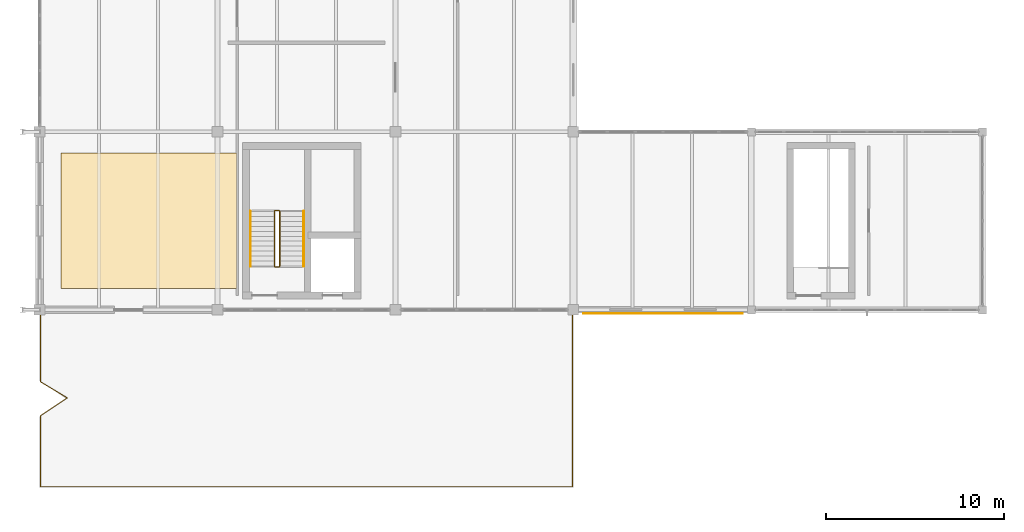
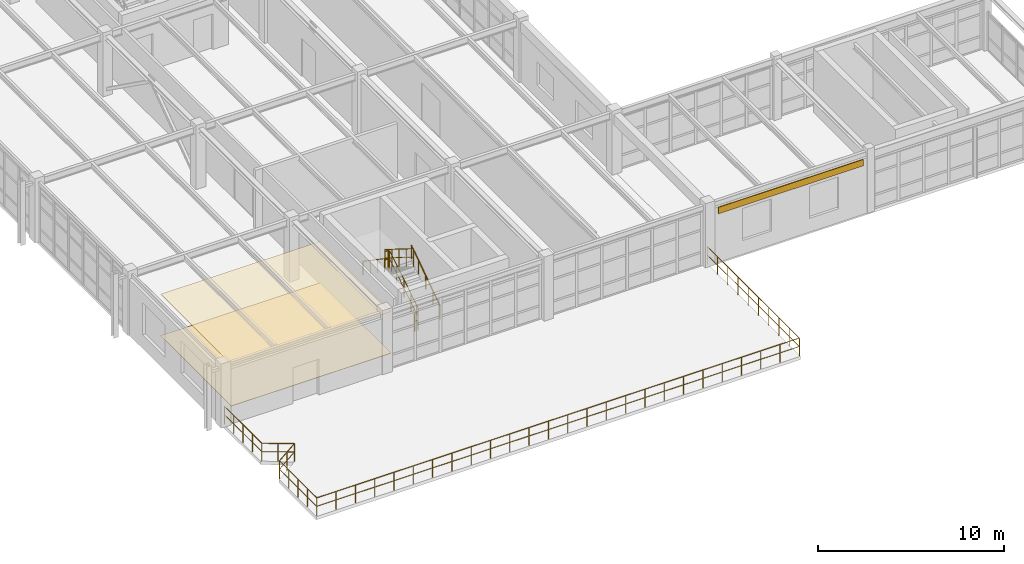
# One storey, part 112 of 122: 7 railings, 3 coverings.
"""IFC4 building model written with IfcOpenShell, lengths in metres."""

import ifcopenshell
import ifcopenshell.guid

model = None  # the IFC model being written
_history = None  # IfcOwnerHistory: only IFC2X3 demands one
_inside = {}  # id of a spatial element -> (the spatial element, [elements in it])
_under = {}  # id of a project, library or spatial element -> (it, [spatial elements below it])
_declared = {}  # id of a project -> (the project, [libraries it declares])
_typed = {}  # id of a type object -> (the type object, [elements of that type])
_made_of = {}  # id of a material, layer set ... -> (it, [elements and type objects made of it])


def new_model(schema):
    """Start an empty IFC model of exactly this schema.

    Asked for "IFC4X3", IfcOpenShell would pick the latest addendum, in which some entities
    have other attributes; the version numbers below select the first issue.
    IFC2X3 requires an IfcOwnerHistory on every rooted entity: one is made here for all.
    """
    global model, _history
    if schema == "IFC4X3":
        model = ifcopenshell.file(schema_version=(4, 3, 0, 0))
    else:
        model = ifcopenshell.file(schema=schema)
    _inside.clear()
    _under.clear()
    _declared.clear()
    _typed.clear()
    _made_of.clear()
    _history = None
    if model.schema == "IFC2X3":
        org = make("IfcOrganization", Name="unknown")
        user = make(
            "IfcPersonAndOrganization",
            ThePerson=make("IfcPerson", FamilyName="unknown"),
            TheOrganization=org,
        )
        app = make(
            "IfcApplication",
            ApplicationDeveloper=org,
            Version="unknown",
            ApplicationFullName="unknown",
            ApplicationIdentifier="unknown",
        )
        _history = make(
            "IfcOwnerHistory",
            OwningUser=user,
            OwningApplication=app,
            ChangeAction="ADDED",
            CreationDate=0,
        )
    return model


def make(cls, **values):
    """One entity of the class cls with the attributes given. An attribute that is None is left unset."""
    return model.create_entity(
        cls, **{name: value for name, value in values.items() if value is not None}
    )


def rooted(cls, **values):
    """An entity with a GlobalId (a new one), such as an element, a storey or a relation."""
    return make(cls, GlobalId=ifcopenshell.guid.new(), OwnerHistory=_history, **values)


def si_unit(unit_type, name, prefix=None):
    """IfcSIUnit, for example si_unit("LENGTHUNIT", "METRE", prefix="MILLI")."""
    return make("IfcSIUnit", UnitType=unit_type, Prefix=prefix, Name=name)


def assignment(units):
    """IfcUnitAssignment: the units of a project."""
    return None if units is None else make("IfcUnitAssignment", Units=units)


def point(xyz):
    """IfcCartesianPoint."""
    return None if xyz is None else make("IfcCartesianPoint", Coordinates=xyz)


def direction(xyz):
    """IfcDirection."""
    return None if xyz is None else make("IfcDirection", DirectionRatios=xyz)


def frame(location, z_axis=None, x_axis=None):
    """IfcAxis2Placement3D, a coordinate frame: its origin and axes. An axis left out is left unset."""
    return make(
        "IfcAxis2Placement3D",
        Location=point(location),
        Axis=direction(z_axis),
        RefDirection=direction(x_axis),
    )


def frame_2d(location, x_axis=None):
    """IfcAxis2Placement2D, a coordinate frame in the plane: its origin and x axis."""
    return make(
        "IfcAxis2Placement2D", Location=point(location), RefDirection=direction(x_axis)
    )


def origin():
    """The frame at (0, 0, 0) with its axes left unset."""
    return frame((0.0, 0.0, 0.0))


def origin_2d():
    """The frame at (0, 0) in the plane with its x axis left unset."""
    return frame_2d((0.0, 0.0))


def place(relative_to, where):
    """IfcLocalPlacement: puts the frame where relative to a parent placement (None: the world)."""
    return make(
        "IfcLocalPlacement", PlacementRelTo=relative_to, RelativePlacement=where
    )


def context(
    kind, dimensions, precision=None, world=None, true_north=None, identifier=None
):
    """IfcGeometricRepresentationContext, for example the 3D "Model" context."""
    return make(
        "IfcGeometricRepresentationContext",
        ContextIdentifier=identifier,
        ContextType=kind,
        CoordinateSpaceDimension=dimensions,
        Precision=precision,
        WorldCoordinateSystem=world,
        TrueNorth=true_north,
    )


def subcontext(parent, identifier, kind, view, scale=None):
    """IfcGeometricRepresentationSubContext, for example "Body" below "Model"."""
    return make(
        "IfcGeometricRepresentationSubContext",
        ContextIdentifier=identifier,
        ContextType=kind,
        ParentContext=parent,
        TargetScale=scale,
        TargetView=view,
    )


def project(units=None, contexts=None):
    """IfcProject with its units and contexts."""
    return rooted(
        "IfcProject",
        Name="project",
        RepresentationContexts=contexts,
        UnitsInContext=assignment(units),
    )


def spatial(cls, under=None, at=None, **own):
    """A site, building, storey or space (cls), placed at a placement, below another one or the project."""
    s = rooted(cls, ObjectPlacement=at, **own)
    if under is not None:
        _under.setdefault(under.id(), (under, []))[1].append(s)
    return s


def polyline(points):
    """IfcPolyline through the points."""
    return make("IfcPolyline", Points=[point(p) for p in points])


def profile(cls, at=None, kind="AREA", **sizes):
    """A parametric profile (cls). Its sizes go by their IFC names, for example OverallWidth=200.0."""
    return make(cls, ProfileType=kind, Position=at, **sizes)


def circle(**sizes):
    """IfcCircleProfileDef."""
    return profile("IfcCircleProfileDef", **sizes)


def outline(outer, holes=None, kind="AREA"):
    """IfcArbitraryClosedProfileDef: a profile drawn as a closed curve; with holes, ...WithVoids."""
    if holes is None:
        return make("IfcArbitraryClosedProfileDef", ProfileType=kind, OuterCurve=outer)
    return make(
        "IfcArbitraryProfileDefWithVoids",
        ProfileType=kind,
        OuterCurve=outer,
        InnerCurves=holes,
    )


def extrude(swept, where, along, depth):
    """IfcExtrudedAreaSolid: the profile swept, set in the frame where, extruded along a direction by depth."""
    return make(
        "IfcExtrudedAreaSolid",
        SweptArea=swept,
        Position=where,
        ExtrudedDirection=direction(along),
        Depth=depth,
    )


def shape(context_of_items, identifier, shape_type, items):
    """IfcShapeRepresentation: the items that make up one representation, for example the "Body"."""
    return make(
        "IfcShapeRepresentation",
        ContextOfItems=context_of_items,
        RepresentationIdentifier=identifier,
        RepresentationType=shape_type,
        Items=items,
    )


def material(Name=None, Category=None):
    """IfcMaterial."""
    return make("IfcMaterial", Name=Name, Category=Category)


def layer(
    of_material, thickness, ventilated=None, Name=None, Category=None, Priority=None
):
    """IfcMaterialLayer: one layer of a wall or slab, of a material (None: an air gap)."""
    return make(
        "IfcMaterialLayer",
        Material=of_material,
        LayerThickness=thickness,
        IsVentilated=ventilated,
        Name=Name,
        Category=Category,
        Priority=Priority,
    )


def layer_set(layers, Name=None):
    """IfcMaterialLayerSet."""
    return make("IfcMaterialLayerSet", MaterialLayers=layers, LayerSetName=Name)


def made_of(thing, what):
    """Note that an element or type object is made of a material, layer set ...; save() writes the relation."""
    if what is not None:
        _made_of.setdefault(what.id(), (what, []))[1].append(thing)
    return thing


def type_object(cls, material=None, **own):
    """A type object (cls), such as IfcWallType, which elements share."""
    return made_of(rooted(cls, **own), material)


def element(
    cls,
    number,
    at=None,
    inside=None,
    cuts=None,
    type_object=None,
    material=None,
    context=None,
    identifier="Body",
    shape_type=None,
    held_by="IfcProductDefinitionShape",
    body=None,
    shapes=None,
    **own,
):
    """One element of the class cls, such as IfcWall. Its Tag is "e" and its number.

    at: its placement. inside: the storey or other place that contains it. cuts: it is an
    opening in that element (IfcRelVoidsElement). A single representation is given by context,
    identifier, shape_type and body (its items); several are given by shapes. held_by: the class
    of the entity that holds the representations. save() writes the other relations.
    """
    e = rooted(cls, Tag="e%d" % number, ObjectPlacement=at, **own)
    if body is not None:
        shapes = [shape(context, identifier, shape_type, body)]
    if shapes is not None:
        e.Representation = make(held_by, Representations=shapes)
    if inside is not None:
        _inside.setdefault(inside.id(), (inside, []))[1].append(e)
    if cuts is not None:
        rooted(
            "IfcRelVoidsElement", RelatingBuildingElement=cuts, RelatedOpeningElement=e
        )
    if type_object is not None:
        _typed.setdefault(type_object.id(), (type_object, []))[1].append(e)
    return made_of(e, material)


def aggregate(whole, parts):
    """IfcRelAggregates: a whole, such as a stair, and the parts it consists of."""
    return rooted("IfcRelAggregates", RelatingObject=whole, RelatedObjects=parts)


def save(model, path):
    """Write the relations noted so far, then the file.

    IfcRelAggregates (storeys below a building ...), IfcRelContainedInSpatialStructure (elements
    in a storey), IfcRelDefinesByType, IfcRelAssociatesMaterial and IfcRelDeclares: one each for
    every whole, place, type object, material and project.
    """
    for whole, parts in _under.values():
        aggregate(whole, parts)
    for where, things in _inside.values():
        rooted(
            "IfcRelContainedInSpatialStructure",
            RelatedElements=things,
            RelatingStructure=where,
        )
    for kind, things in _typed.values():
        rooted("IfcRelDefinesByType", RelatedObjects=things, RelatingType=kind)
    for what, things in _made_of.values():
        rooted("IfcRelAssociatesMaterial", RelatedObjects=things, RelatingMaterial=what)
    for by, libraries in _declared.values():
        rooted("IfcRelDeclares", RelatingContext=by, RelatedDefinitions=libraries)
    model.write(path)


model = new_model("IFC4")

# Units and contexts
model_context = context("Model", 3, precision=1e-05, world=origin(), true_north=direction((0.0, 1.0)))
body_context = subcontext(model_context, "Body", "Model", "MODEL_VIEW")
ifc_project = project(units=[si_unit("LENGTHUNIT", "METRE"), si_unit("AREAUNIT", "SQUARE_METRE"), si_unit("VOLUMEUNIT", "CUBIC_METRE"), si_unit("PLANEANGLEUNIT", "RADIAN"), si_unit("MASSUNIT", "GRAM", prefix="KILO"), si_unit("THERMODYNAMICTEMPERATUREUNIT", "KELVIN"), si_unit("POWERUNIT", "WATT")], contexts=[model_context])

# Site, building, storey
site_placement = place(None, origin())
site = spatial("IfcSite", under=ifc_project, at=site_placement, CompositionType="ELEMENT")
building_placement = place(site_placement, origin())
building = spatial("IfcBuilding", under=site, at=building_placement, Name="Korenveer Ferry Terminal", CompositionType="ELEMENT")
storey_placement = place(building_placement, frame((0.0, 0.0, 10.199951171875)))
storey = spatial("IfcBuildingStorey", under=building, at=storey_placement, Name="L02", CompositionType="ELEMENT", Elevation=10.199951171875)

# Covering
ifc_material_1 = material(Name="Carved Belgian bluestone spandrel cladding", Category="masonry")
ifc_layer_1 = layer(ifc_material_1, 0.050048828125)
ifc_layer_set_1 = layer_set([ifc_layer_1], Name="Carved Belgian bluestone spandrel cladding")
covering_type_1 = type_object("IfcCoveringType", Name="ENV-COV-STONE", PredefinedType="CLADDING", material=ifc_layer_set_1)
covering_1_placement = place(storey_placement, frame((0.0, 0.0, 3.2099609375)))
element("IfcCovering", 1, at=covering_1_placement, inside=storey, type_object=covering_type_1, Name="Belgian bluestone spandrel band 19", PredefinedType="CLADDING", context=body_context, shape_type="SweptSolid", body=[
    extrude(outline(polyline([(30.550048828125, 19.764892578125), (39.52490234375, 19.764892578125), (39.52490234375, 19.81494140625), (30.550048828125, 19.81494140625), (30.550048828125, 19.764892578125)])), origin(), (0.0, 0.0, 1.0), 0.420166015625),
])

# Railing
ifc_material_2 = material(Name="Marine stainless and bronze balustrade", Category="aluminium")
railing_type_1 = type_object("IfcRailingType", Name="ENV-RL-BAL120", PredefinedType="BALUSTRADE", material=ifc_material_2)
railing_1_placement = place(storey_placement, frame((0.050048828125, 19.949951171875, 0.0)))
element("IfcRailing", 2, at=railing_1_placement, inside=storey, type_object=railing_type_1, Name="Outdoor terrace balustrade 5", PredefinedType="BALUSTRADE", context=body_context, shape_type="SweptSolid", body=[
    extrude(circle(Radius=0.02392578125, at=origin_2d()), frame((0.0, 0.0, 1.17578125), z_axis=(0.0, -1.0, 0.0), x_axis=(1.0, 0.0, 0.0)), (0.0, 0.0, 1.0), 4.0),
    extrude(circle(Radius=0.01806640625, at=origin_2d()), frame((0.0, 0.0, 0.6240234375), z_axis=(0.0, -1.0, 0.0), x_axis=(1.0, 0.0, 0.0)), (0.0, 0.0, 1.0), 4.0),
    extrude(circle(Radius=0.02392578125, at=origin_2d()), frame((0.0, -4.0, 1.17578125), z_axis=(0.857517554715, -0.514454704863, 0.0), x_axis=(0.514454704863, 0.857517554715, 0.0)), (0.0, 0.0, 1.0), 1.749267578125),
    extrude(circle(Radius=0.01806640625, at=origin_2d()), frame((0.0, -4.0, 0.6240234375), z_axis=(0.857517554715, -0.514454704863, 0.0), x_axis=(0.514454704863, 0.857517554715, 0.0)), (0.0, 0.0, 1.0), 1.749267578125),
    extrude(circle(Radius=0.02392578125, at=origin_2d()), frame((1.5, -4.89990234375, 1.17578125), z_axis=(-0.832050294338, -0.554700196225, 0.0), x_axis=(0.554700196225, -0.832050294338, 0.0)), (0.0, 0.0, 1.0), 1.802734375),
    extrude(circle(Radius=0.01806640625, at=origin_2d()), frame((1.5, -4.89990234375, 0.6240234375), z_axis=(-0.832050294338, -0.554700196225, 0.0), x_axis=(0.554700196225, -0.832050294338, 0.0)), (0.0, 0.0, 1.0), 1.802734375),
    extrude(circle(Radius=0.02392578125, at=origin_2d()), frame((0.0, -5.89990234375, 1.17578125), z_axis=(0.0, -1.0, 0.0), x_axis=(1.0, 0.0, 0.0)), (0.0, 0.0, 1.0), 4.0),
    extrude(circle(Radius=0.01806640625, at=origin_2d()), frame((0.0, -5.89990234375, 0.6240234375), z_axis=(0.0, -1.0, 0.0), x_axis=(1.0, 0.0, 0.0)), (0.0, 0.0, 1.0), 4.0),
    extrude(circle(Radius=0.02392578125, at=origin_2d()), frame((0.0, -9.89990234375, 1.17578125), z_axis=(1.0, 0.0, 0.0), x_axis=(0.0, 1.0, 0.0)), (0.0, 0.0, 1.0), 29.89990234375),
    extrude(circle(Radius=0.01806640625, at=origin_2d()), frame((0.0, -9.89990234375, 0.6240234375), z_axis=(1.0, 0.0, 0.0), x_axis=(0.0, 1.0, 0.0)), (0.0, 0.0, 1.0), 29.89990234375),
    extrude(circle(Radius=0.02392578125, at=origin_2d()), frame((29.89990234375, -9.89990234375, 1.17578125), z_axis=(0.0, 1.0, 0.0), x_axis=(-1.0, 0.0, 0.0)), (0.0, 0.0, 1.0), 9.89990234375),
    extrude(circle(Radius=0.01806640625, at=origin_2d()), frame((29.89990234375, -9.89990234375, 0.6240234375), z_axis=(0.0, 1.0, 0.0), x_axis=(-1.0, 0.0, 0.0)), (0.0, 0.0, 1.0), 9.89990234375),
    extrude(circle(Radius=0.02099609375, at=origin_2d()), origin(), (0.0, 0.0, 1.0), 1.15185546875),
    extrude(circle(Radius=0.02099609375, at=origin_2d()), frame((0.0, -1.0, 0.0)), (0.0, 0.0, 1.0), 1.15185546875),
    extrude(circle(Radius=0.02099609375, at=origin_2d()), frame((0.0, -2.0, 0.0)), (0.0, 0.0, 1.0), 1.15185546875),
    extrude(circle(Radius=0.02099609375, at=origin_2d()), frame((0.0, -3.0, 0.0)), (0.0, 0.0, 1.0), 1.15185546875),
    extrude(circle(Radius=0.02099609375, at=origin_2d()), frame((0.0, -4.0, 0.0)), (0.0, 0.0, 1.0), 1.15185546875),
    extrude(circle(Radius=0.02099609375, at=origin_2d()), frame((0.75, -4.449951171875, 0.0)), (0.0, 0.0, 1.0), 1.15185546875),
    extrude(circle(Radius=0.02099609375, at=origin_2d()), frame((1.5, -4.89990234375, 0.0)), (0.0, 0.0, 1.0), 1.15185546875),
    extrude(circle(Radius=0.02099609375, at=origin_2d()), frame((0.75, -5.39990234375, 0.0)), (0.0, 0.0, 1.0), 1.15185546875),
    extrude(circle(Radius=0.02099609375, at=origin_2d()), frame((0.0, -5.89990234375, 0.0)), (0.0, 0.0, 1.0), 1.15185546875),
    extrude(circle(Radius=0.02099609375, at=origin_2d()), frame((0.0, -6.89990234375, 0.0)), (0.0, 0.0, 1.0), 1.15185546875),
    extrude(circle(Radius=0.02099609375, at=origin_2d()), frame((0.0, -7.89990234375, 0.0)), (0.0, 0.0, 1.0), 1.15185546875),
    extrude(circle(Radius=0.02099609375, at=origin_2d()), frame((0.0, -8.89990234375, 0.0)), (0.0, 0.0, 1.0), 1.15185546875),
    extrude(circle(Radius=0.02099609375, at=origin_2d()), frame((0.0, -9.89990234375, 0.0)), (0.0, 0.0, 1.0), 1.15185546875),
    extrude(circle(Radius=0.02099609375, at=origin_2d()), frame((1.196044921875, -9.89990234375, 0.0)), (0.0, 0.0, 1.0), 1.15185546875),
    extrude(circle(Radius=0.02099609375, at=origin_2d()), frame((2.39208984375, -9.89990234375, 0.0)), (0.0, 0.0, 1.0), 1.15185546875),
    extrude(circle(Radius=0.02099609375, at=origin_2d()), frame((3.587890625, -9.89990234375, 0.0)), (0.0, 0.0, 1.0), 1.15185546875),
    extrude(circle(Radius=0.02099609375, at=origin_2d()), frame((4.783935546875, -9.89990234375, 0.0)), (0.0, 0.0, 1.0), 1.15185546875),
    extrude(circle(Radius=0.02099609375, at=origin_2d()), frame((5.97998046875, -9.89990234375, 0.0)), (0.0, 0.0, 1.0), 1.15185546875),
    extrude(circle(Radius=0.02099609375, at=origin_2d()), frame((7.176025390625, -9.89990234375, 0.0)), (0.0, 0.0, 1.0), 1.15185546875),
    extrude(circle(Radius=0.02099609375, at=origin_2d()), frame((8.3720703125, -9.89990234375, 0.0)), (0.0, 0.0, 1.0), 1.15185546875),
    extrude(circle(Radius=0.02099609375, at=origin_2d()), frame((9.56787109375, -9.89990234375, 0.0)), (0.0, 0.0, 1.0), 1.15185546875),
    extrude(circle(Radius=0.02099609375, at=origin_2d()), frame((10.763916015625, -9.89990234375, 0.0)), (0.0, 0.0, 1.0), 1.15185546875),
    extrude(circle(Radius=0.02099609375, at=origin_2d()), frame((11.9599609375, -9.89990234375, 0.0)), (0.0, 0.0, 1.0), 1.15185546875),
    extrude(circle(Radius=0.02099609375, at=origin_2d()), frame((13.156005859375, -9.89990234375, 0.0)), (0.0, 0.0, 1.0), 1.15185546875),
    extrude(circle(Radius=0.02099609375, at=origin_2d()), frame((14.35205078125, -9.89990234375, 0.0)), (0.0, 0.0, 1.0), 1.15185546875),
    extrude(circle(Radius=0.02099609375, at=origin_2d()), frame((15.5478515625, -9.89990234375, 0.0)), (0.0, 0.0, 1.0), 1.15185546875),
    extrude(circle(Radius=0.02099609375, at=origin_2d()), frame((16.743896484375, -9.89990234375, 0.0)), (0.0, 0.0, 1.0), 1.15185546875),
    extrude(circle(Radius=0.02099609375, at=origin_2d()), frame((17.93994140625, -9.89990234375, 0.0)), (0.0, 0.0, 1.0), 1.15185546875),
    extrude(circle(Radius=0.02099609375, at=origin_2d()), frame((19.135986328125, -9.89990234375, 0.0)), (0.0, 0.0, 1.0), 1.15185546875),
    extrude(circle(Radius=0.02099609375, at=origin_2d()), frame((20.33203125, -9.89990234375, 0.0)), (0.0, 0.0, 1.0), 1.15185546875),
    extrude(circle(Radius=0.02099609375, at=origin_2d()), frame((21.52783203125, -9.89990234375, 0.0)), (0.0, 0.0, 1.0), 1.15185546875),
    extrude(circle(Radius=0.02099609375, at=origin_2d()), frame((22.723876953125, -9.89990234375, 0.0)), (0.0, 0.0, 1.0), 1.15185546875),
    extrude(circle(Radius=0.02099609375, at=origin_2d()), frame((23.919921875, -9.89990234375, 0.0)), (0.0, 0.0, 1.0), 1.15185546875),
    extrude(circle(Radius=0.02099609375, at=origin_2d()), frame((25.115966796875, -9.89990234375, 0.0)), (0.0, 0.0, 1.0), 1.15185546875),
    extrude(circle(Radius=0.02099609375, at=origin_2d()), frame((26.31201171875, -9.89990234375, 0.0)), (0.0, 0.0, 1.0), 1.15185546875),
    extrude(circle(Radius=0.02099609375, at=origin_2d()), frame((27.5078125, -9.89990234375, 0.0)), (0.0, 0.0, 1.0), 1.15185546875),
    extrude(circle(Radius=0.02099609375, at=origin_2d()), frame((28.703857421875, -9.89990234375, 0.0)), (0.0, 0.0, 1.0), 1.15185546875),
    extrude(circle(Radius=0.02099609375, at=origin_2d()), frame((29.89990234375, -9.89990234375, 0.0)), (0.0, 0.0, 1.0), 1.15185546875),
    extrude(circle(Radius=0.02099609375, at=origin_2d()), frame((29.89990234375, -8.7998046875, 0.0)), (0.0, 0.0, 1.0), 1.15185546875),
    extrude(circle(Radius=0.02099609375, at=origin_2d()), frame((29.89990234375, -7.699951171875, 0.0)), (0.0, 0.0, 1.0), 1.15185546875),
    extrude(circle(Radius=0.02099609375, at=origin_2d()), frame((29.89990234375, -6.599853515625, 0.0)), (0.0, 0.0, 1.0), 1.15185546875),
    extrude(circle(Radius=0.02099609375, at=origin_2d()), frame((29.89990234375, -5.5, 0.0)), (0.0, 0.0, 1.0), 1.15185546875),
    extrude(circle(Radius=0.02099609375, at=origin_2d()), frame((29.89990234375, -4.39990234375, 0.0)), (0.0, 0.0, 1.0), 1.15185546875),
    extrude(circle(Radius=0.02099609375, at=origin_2d()), frame((29.89990234375, -3.300048828125, 0.0)), (0.0, 0.0, 1.0), 1.15185546875),
    extrude(circle(Radius=0.02099609375, at=origin_2d()), frame((29.89990234375, -2.199951171875, 0.0)), (0.0, 0.0, 1.0), 1.15185546875),
    extrude(circle(Radius=0.02099609375, at=origin_2d()), frame((29.89990234375, -1.10009765625, 0.0)), (0.0, 0.0, 1.0), 1.15185546875),
    extrude(circle(Radius=0.02099609375, at=origin_2d()), frame((29.89990234375, 0.0, 0.0)), (0.0, 0.0, 1.0), 1.15185546875),
])

# Coverings
ifc_material_3 = material(Name="Mineral acoustic ceiling board", Category="other")
ifc_layer_2 = layer(ifc_material_3, 0.02490234375)
ifc_layer_set_2 = layer_set([ifc_layer_2], Name="Mineral acoustic ceiling board")
covering_type_2 = type_object("IfcCoveringType", Name="INT-COV-CEIL", PredefinedType="CEILING", material=ifc_layer_set_2)
covering_2_placement = place(storey_placement, frame((0.0, 0.0, 2.72509765625)))
element("IfcCovering", 3, at=covering_2_placement, inside=storey, type_object=covering_type_2, Name="Acoustic room ceiling 9", PredefinedType="CEILING", context=body_context, shape_type="SweptSolid", body=[
    extrude(outline(polyline([(1.199951171875, 21.199951171875), (11.10009765625, 21.199951171875), (11.10009765625, 28.800048828125), (1.199951171875, 28.800048828125), (1.199951171875, 21.199951171875)])), origin(), (0.0, 0.0, 1.0), 0.02490234375),
])
ifc_material_4 = material(Name="Polished terrazzo tile finish", Category="masonry")
ifc_layer_3 = layer(ifc_material_4, 0.030029296875)
ifc_layer_set_3 = layer_set([ifc_layer_3], Name="Polished terrazzo tile finish")
covering_type_3 = type_object("IfcCoveringType", Name="INT-COV-FLR", PredefinedType="FLOORING", material=ifc_layer_set_3)
covering_3_placement = place(storey_placement, origin())
element("IfcCovering", 4, at=covering_3_placement, inside=storey, type_object=covering_type_3, Name="Terrazzo floor finish 9", PredefinedType="FLOORING", context=body_context, shape_type="SweptSolid", body=[
    extrude(outline(polyline([(1.199951171875, 21.199951171875), (11.10009765625, 21.199951171875), (11.10009765625, 28.800048828125), (1.199951171875, 28.800048828125), (1.199951171875, 21.199951171875)])), origin(), (0.0, 0.0, 1.0), 0.030029296875),
])

# Railings
ifc_material_5 = material(Name="Brushed stainless steel handrail", Category="steel")
railing_type_2 = type_object("IfcRailingType", Name="INT-RL-HND90", PredefinedType="HANDRAIL", material=ifc_material_5)
railing_2_placement = place(storey_placement, frame((14.85009765625, 22.449951171875, 0.175048828125)))
element("IfcRailing", 5, at=railing_2_placement, inside=storey, type_object=railing_type_2, Name="L02 ST01 stair handrail 1", PredefinedType="HANDRAIL", context=body_context, shape_type="SweptSolid", body=[
    extrude(circle(Radius=0.02392578125, at=origin_2d()), frame((0.0, 0.0, 0.8759765625), z_axis=(0.0, 0.826221800596, 0.563344953133), x_axis=(-1.0, 0.0, 0.0)), (0.0, 0.0, 1.0), 3.72802734375),
    extrude(circle(Radius=0.02099609375, at=origin_2d()), origin(), (0.0, 0.0, 1.0), 0.851806640625),
    extrude(circle(Radius=0.02099609375, at=origin_2d()), frame((0.0, 0.77001953125, 0.52490234375)), (0.0, 0.0, 1.0), 0.851806640625),
    extrude(circle(Radius=0.02099609375, at=origin_2d()), frame((0.0, 1.5400390625, 1.050048828125)), (0.0, 0.0, 1.0), 0.851806640625),
    extrude(circle(Radius=0.02099609375, at=origin_2d()), frame((0.0, 2.31005859375, 1.5751953125)), (0.0, 0.0, 1.0), 0.851806640625),
    extrude(circle(Radius=0.02099609375, at=origin_2d()), frame((0.0, 3.080078125, 2.10009765625)), (0.0, 0.0, 1.0), 0.851806640625),
])
railing_3_placement = place(storey_placement, frame((11.85009765625, 25.530029296875, 2.275146484375)))
element("IfcRailing", 6, at=railing_3_placement, inside=storey, type_object=railing_type_2, Name="L02 ST01 stair handrail 2", PredefinedType="HANDRAIL", context=body_context, shape_type="SweptSolid", body=[
    extrude(circle(Radius=0.02392578125, at=origin_2d()), frame((0.0, 0.0, 0.8759765625), z_axis=(0.0, -0.826252282691, 0.563300244406), x_axis=(1.0, 0.0, 0.0)), (0.0, 0.0, 1.0), 3.727783203125),
    extrude(circle(Radius=0.02099609375, at=origin_2d()), origin(), (0.0, 0.0, 1.0), 0.851806640625),
    extrude(circle(Radius=0.02099609375, at=origin_2d()), frame((0.0, -0.77001953125, 0.52490234375)), (0.0, 0.0, 1.0), 0.851806640625),
    extrude(circle(Radius=0.02099609375, at=origin_2d()), frame((0.0, -1.5400390625, 1.0498046875)), (0.0, 0.0, 1.0), 0.851806640625),
    extrude(circle(Radius=0.02099609375, at=origin_2d()), frame((0.0, -2.31005859375, 1.574951171875)), (0.0, 0.0, 1.0), 0.851806640625),
    extrude(circle(Radius=0.02099609375, at=origin_2d()), frame((0.0, -3.080078125, 2.099853515625)), (0.0, 0.0, 1.0), 0.851806640625),
])
ifc_material_6 = material(Name="Painted steel stair guard", Category="steel")
railing_type_3 = type_object("IfcRailingType", Name="INT-RL-STGRD", PredefinedType="GUARDRAIL", material=ifc_material_6)
railing_4_placement = place(storey_placement, frame((13.5, 22.449951171875, 0.175048828125)))
element("IfcRailing", 7, at=railing_4_placement, inside=storey, type_object=railing_type_3, Name="L02 ST01 stair guard 1", PredefinedType="GUARDRAIL", context=body_context, shape_type="SweptSolid", body=[
    extrude(circle(Radius=0.02392578125, at=origin_2d()), frame((0.0, 0.0, 1.17578125), z_axis=(0.0, 0.847998304005, 0.529998940003), x_axis=(-1.0, 0.0, 0.0)), (0.0, 0.0, 1.0), 3.632080078125),
    extrude(circle(Radius=0.01806640625, at=origin_2d()), frame((0.0, 0.0, 0.6240234375), z_axis=(0.0, 0.847998304005, 0.529998940003), x_axis=(-1.0, 0.0, 0.0)), (0.0, 0.0, 1.0), 3.632080078125),
    extrude(circle(Radius=0.02099609375, at=origin_2d()), origin(), (0.0, 0.0, 1.0), 1.15185546875),
    extrude(circle(Radius=0.02099609375, at=origin_2d()), frame((0.0, 0.77001953125, 0.481201171875)), (0.0, 0.0, 1.0), 1.15185546875),
    extrude(circle(Radius=0.02099609375, at=origin_2d()), frame((0.0, 1.5400390625, 0.96240234375)), (0.0, 0.0, 1.0), 1.15185546875),
    extrude(circle(Radius=0.02099609375, at=origin_2d()), frame((0.0, 2.31005859375, 1.44384765625)), (0.0, 0.0, 1.0), 1.15185546875),
    extrude(circle(Radius=0.02099609375, at=origin_2d()), frame((0.0, 3.080078125, 1.925048828125)), (0.0, 0.0, 1.0), 1.15185546875),
])
railing_5_placement = place(storey_placement, frame((13.449951171875, 25.580078125, 2.10009765625)))
element("IfcRailing", 8, at=railing_5_placement, inside=storey, type_object=railing_type_3, Name="L02 ST01 stair guard 2", PredefinedType="GUARDRAIL", context=body_context, shape_type="SweptSolid", body=[
    extrude(circle(Radius=0.02392578125, at=origin_2d()), frame((0.0, 0.0, 1.17578125), z_axis=(-1.0, 0.0, 0.0), x_axis=(0.0, -1.0, 0.0)), (0.0, 0.0, 1.0), 0.199951171875),
    extrude(circle(Radius=0.01806640625, at=origin_2d()), frame((0.0, 0.0, 0.6240234375), z_axis=(-1.0, 0.0, 0.0), x_axis=(0.0, -1.0, 0.0)), (0.0, 0.0, 1.0), 0.199951171875),
    extrude(circle(Radius=0.02099609375, at=origin_2d()), origin(), (0.0, 0.0, 1.0), 1.15185546875),
    extrude(circle(Radius=0.02099609375, at=origin_2d()), frame((-0.199951171875, 0.0, 0.0)), (0.0, 0.0, 1.0), 1.15185546875),
])
railing_6_placement = place(storey_placement, frame((13.199951171875, 25.530029296875, 2.275146484375)))
element("IfcRailing", 9, at=railing_6_placement, inside=storey, type_object=railing_type_3, Name="L02 ST01 stair guard 3", PredefinedType="GUARDRAIL", context=body_context, shape_type="SweptSolid", body=[
    extrude(circle(Radius=0.02392578125, at=origin_2d()), frame((0.0, 0.0, 1.17578125), z_axis=(0.0, -0.848028513186, 0.529950602248), x_axis=(1.0, 0.0, 0.0)), (0.0, 0.0, 1.0), 3.632080078125),
    extrude(circle(Radius=0.01806640625, at=origin_2d()), frame((0.0, 0.0, 0.6240234375), z_axis=(0.0, -0.848028513186, 0.529950602248), x_axis=(1.0, 0.0, 0.0)), (0.0, 0.0, 1.0), 3.632080078125),
    extrude(circle(Radius=0.02099609375, at=origin_2d()), origin(), (0.0, 0.0, 1.0), 1.15185546875),
    extrude(circle(Radius=0.02099609375, at=origin_2d()), frame((0.0, -0.77001953125, 0.481201171875)), (0.0, 0.0, 1.0), 1.15185546875),
    extrude(circle(Radius=0.02099609375, at=origin_2d()), frame((0.0, -1.5400390625, 0.96240234375)), (0.0, 0.0, 1.0), 1.15185546875),
    extrude(circle(Radius=0.02099609375, at=origin_2d()), frame((0.0, -2.31005859375, 1.443603515625)), (0.0, 0.0, 1.0), 1.15185546875),
    extrude(circle(Radius=0.02099609375, at=origin_2d()), frame((0.0, -3.080078125, 1.9248046875)), (0.0, 0.0, 1.0), 1.15185546875),
])
railing_7_placement = place(storey_placement, frame((13.449951171875, 22.39990234375, 0.0)))
element("IfcRailing", 10, at=railing_7_placement, inside=storey, type_object=railing_type_3, Name="L02 ST01 stair guard 4", PredefinedType="GUARDRAIL", context=body_context, shape_type="SweptSolid", body=[
    extrude(circle(Radius=0.02392578125, at=origin_2d()), frame((0.0, 0.0, 1.17578125), z_axis=(-1.0, 0.0, 0.0), x_axis=(0.0, -1.0, 0.0)), (0.0, 0.0, 1.0), 0.199951171875),
    extrude(circle(Radius=0.01806640625, at=origin_2d()), frame((0.0, 0.0, 0.6240234375), z_axis=(-1.0, 0.0, 0.0), x_axis=(0.0, -1.0, 0.0)), (0.0, 0.0, 1.0), 0.199951171875),
    extrude(circle(Radius=0.02099609375, at=origin_2d()), origin(), (0.0, 0.0, 1.0), 1.15185546875),
    extrude(circle(Radius=0.02099609375, at=origin_2d()), frame((-0.199951171875, 0.0, 0.0)), (0.0, 0.0, 1.0), 1.15185546875),
])

save(model, "model.ifc")
